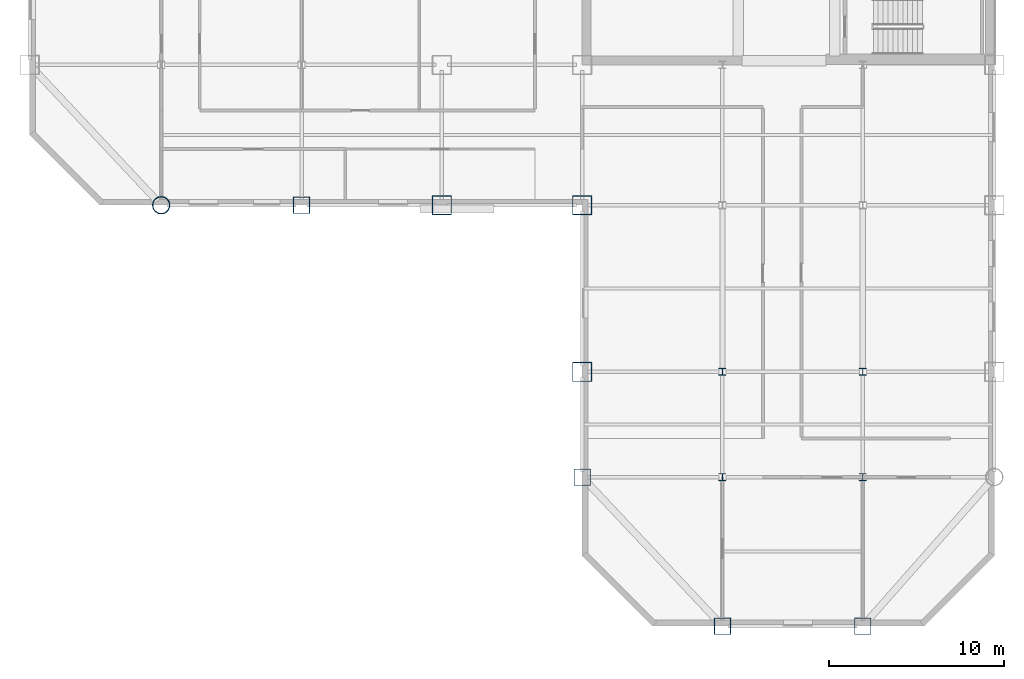
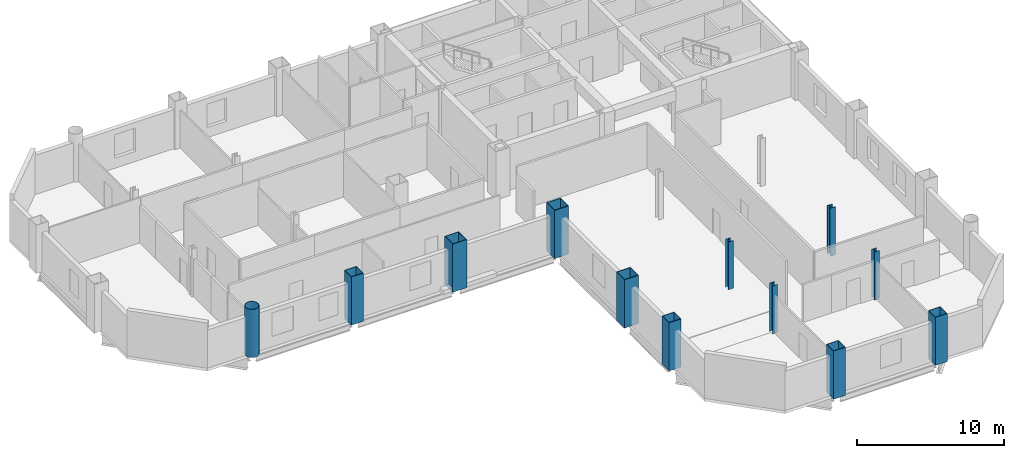
# One storey, part 1 of 10: 12 columns.
"""IFC4 building model written with IfcOpenShell, lengths in metres."""

from ifc_helpers import new_model, si_unit, direction, frame, origin, origin_2d, place, context, subcontext, project, spatial, hollow_rectangle, hollow_circle, i_section, extrude, material, material_profile, profile_set, type_object, element, save


model = new_model("IFC4")

# Units and contexts
model_context = context("Model", 3, precision=1e-05, world=origin(), true_north=direction((0.0, 1.0)))
body_context = subcontext(model_context, "Body", "Model", "MODEL_VIEW")
ifc_project = project(units=[si_unit("LENGTHUNIT", "METRE"), si_unit("AREAUNIT", "SQUARE_METRE"), si_unit("VOLUMEUNIT", "CUBIC_METRE"), si_unit("PLANEANGLEUNIT", "RADIAN"), si_unit("MASSUNIT", "GRAM", prefix="KILO")], contexts=[model_context])

# Site, building, storey
site_placement = place(None, origin())
site = spatial("IfcSite", under=ifc_project, at=site_placement, CompositionType="ELEMENT")
building_placement = place(site_placement, origin())
building = spatial("IfcBuilding", under=site, at=building_placement, Name="Qianrong Seaharbour Tower", CompositionType="ELEMENT")
storey_placement = place(building_placement, frame((0.0, 0.0, 131.0)))
storey = spatial("IfcBuildingStorey", under=building, at=storey_placement, Name="L31", CompositionType="ELEMENT", Elevation=131.0)

# Columns
ifc_material = material(Name="Structural steel SN490B", Category="steel")
ifc_material_profile_1 = material_profile(ifc_material, hollow_rectangle(XDim=1.10009765625, YDim=1.10009765625, WallThickness=0.0400390625, at=origin_2d()), Name="BOX1100x1100x40")
ifc_profile_set_1 = profile_set([ifc_material_profile_1], Name="Structural steel SN490B")
column_type_1 = type_object("IfcColumnType", Name="COL-CFT-1100", PredefinedType="COLUMN", material=ifc_profile_set_1)
for number, where, z_axis, x_axis, name in (
    (1, (32.5, 28.0, 0.0), (0.0, 0.0, 1.0), (1.0, 0.0, 0.0), "L31 Column MC-3 at G5/GE"),
    (2, (40.5, 18.5, 0.0), (0.0, 0.0, 1.0), (1.0, 0.0, 0.0), "L31 Column MC-3 at G6/GD"),
    (3, (40.5, 28.0, 0.0), (0.0, 0.0, 1.0), (1.0, 0.0, 0.0), "L31 Column MC-3 at G6/GE"),
):
    element("IfcColumn", number, at=place(storey_placement, frame(where, z_axis=z_axis, x_axis=x_axis)), inside=storey, type_object=column_type_1, Name=name, PredefinedType="COLUMN", context=body_context, shape_type="SweptSolid", body=[
        extrude(hollow_rectangle(XDim=1.10009765625, YDim=1.10009765625, WallThickness=0.0400390625, at=origin_2d()), origin(), (0.0, 0.0, 1.0), 4.0),
    ])
ifc_material_profile_2 = material_profile(ifc_material, hollow_circle(Radius=0.5, WallThickness=0.035888671875, at=origin_2d()), Name="CHS1000x36")
ifc_profile_set_2 = profile_set([ifc_material_profile_2], Name="Structural steel SN490B")
column_type_2 = type_object("IfcColumnType", Name="COL-CHS-1000", PredefinedType="COLUMN", material=ifc_profile_set_2)
column_placement = place(storey_placement, frame((16.5, 28.0, 0.0), z_axis=(0.0, 0.0, 1.0), x_axis=(1.0, 0.0, 0.0)))
element("IfcColumn", 4, at=column_placement, inside=storey, type_object=column_type_2, Name="L31 Column CC-2 at G3/GE", PredefinedType="COLUMN", context=body_context, shape_type="SweptSolid", body=[
    extrude(hollow_circle(Radius=0.5, WallThickness=0.035888671875, at=origin_2d()), origin(), (0.0, 0.0, 1.0), 4.0),
])
ifc_material_profile_3 = material_profile(ifc_material, i_section(OverallWidth=0.39990234375, OverallDepth=0.39990234375, WebThickness=0.012939453125, FlangeThickness=0.02099609375, FilletRadius=0.02197265625, at=origin_2d()), Name="H400x400x13x21")
ifc_profile_set_3 = profile_set([ifc_material_profile_3], Name="Structural steel SN490B")
column_type_3 = type_object("IfcColumnType", Name="COL-INT-H400", PredefinedType="COLUMN", material=ifc_profile_set_3)
for number, where, z_axis, x_axis, name in (
    (5, (48.5, 12.5, 0.0), (0.0, 0.0, 1.0), (1.0, 0.0, 0.0), "L31 Column IC-3 at G7/GC"),
    (6, (48.5, 18.5, 0.0), (0.0, 0.0, 1.0), (1.0, 0.0, 0.0), "L31 Column IC-3 at G7/GD"),
    (7, (56.5, 12.5, 0.0), (0.0, 0.0, 1.0), (1.0, 0.0, 0.0), "L31 Column IC-3 at G8/GC"),
    (8, (56.5, 18.5, 0.0), (0.0, 0.0, 1.0), (1.0, 0.0, 0.0), "L31 Column IC-3 at G8/GD"),
):
    element("IfcColumn", number, at=place(storey_placement, frame(where, z_axis=z_axis, x_axis=x_axis)), inside=storey, type_object=column_type_3, Name=name, PredefinedType="COLUMN", context=body_context, shape_type="SweptSolid", body=[
        extrude(i_section(OverallWidth=0.39990234375, OverallDepth=0.39990234375, WebThickness=0.012939453125, FlangeThickness=0.02099609375, FilletRadius=0.02197265625, at=origin_2d()), origin(), (0.0, 0.0, 1.0), 4.0),
    ])
ifc_material_profile_4 = material_profile(ifc_material, hollow_rectangle(XDim=0.949951171875, YDim=0.949951171875, WallThickness=0.035888671875, at=origin_2d()), Name="BOX950x950x36")
ifc_profile_set_4 = profile_set([ifc_material_profile_4], Name="Structural steel SN490B")
column_type_4 = type_object("IfcColumnType", Name="COL-PER-950", PredefinedType="COLUMN", material=ifc_profile_set_4)
for number, where, z_axis, x_axis, name in (
    (9, (24.5, 28.0, 0.0), (0.0, 0.0, 1.0), (1.0, 0.0, 0.0), "L31 Column PC-2 at G4/GE"),
    (10, (40.5, 12.5, 0.0), (0.0, 0.0, 1.0), (1.0, 0.0, 0.0), "L31 Column PC-2 at G6/GC"),
    (11, (48.5, 4.0, 0.0), (0.0, 0.0, 1.0), (1.0, 0.0, 0.0), "L31 Column PC-2 at G7/GB"),
    (12, (56.5, 4.0, 0.0), (0.0, 0.0, 1.0), (1.0, 0.0, 0.0), "L31 Column PC-2 at G8/GB"),
):
    element("IfcColumn", number, at=place(storey_placement, frame(where, z_axis=z_axis, x_axis=x_axis)), inside=storey, type_object=column_type_4, Name=name, PredefinedType="COLUMN", context=body_context, shape_type="SweptSolid", body=[
        extrude(hollow_rectangle(XDim=0.949951171875, YDim=0.949951171875, WallThickness=0.035888671875, at=origin_2d()), origin(), (0.0, 0.0, 1.0), 4.0),
    ])

save(model, "model.ifc")
